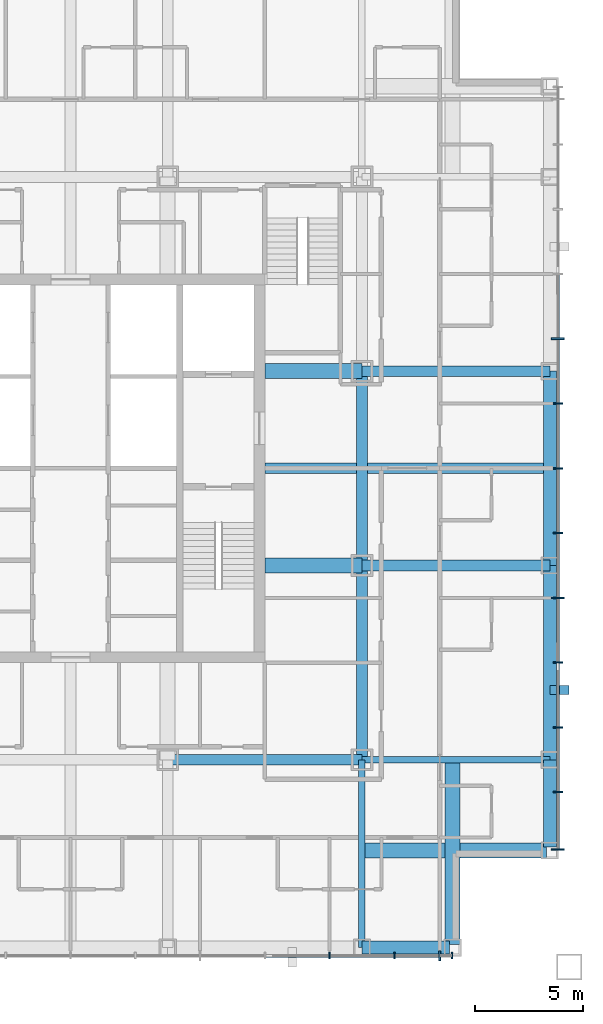
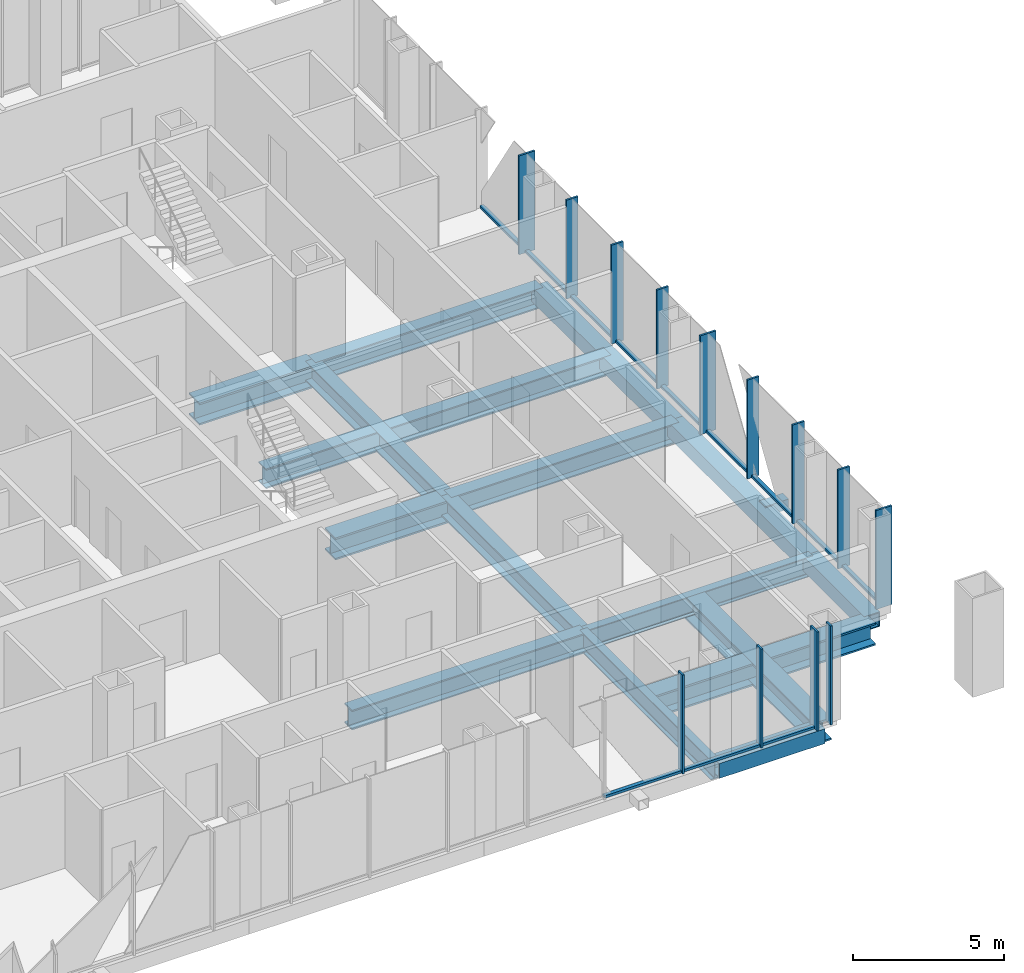
# One storey, part 3 of 21: 26 members, 16 beams, 2 elements without a shape of their own.
"""IFC4 building model written with IfcOpenShell, lengths in metres."""

from ifc_helpers import new_model, si_unit, direction, frame, origin, origin_2d, place, context, subcontext, project, spatial, rectangle, hollow_rectangle, i_section, extrude, material, layer, layer_set, material_profile, profile_set, type_object, element, aggregate, save


model = new_model("IFC4")

# Units and contexts
model_context = context("Model", 3, precision=1e-05, world=origin(), true_north=direction((0.0, 1.0)))
body_context = subcontext(model_context, "Body", "Model", "MODEL_VIEW")
ifc_project = project(units=[si_unit("LENGTHUNIT", "METRE"), si_unit("AREAUNIT", "SQUARE_METRE"), si_unit("VOLUMEUNIT", "CUBIC_METRE"), si_unit("PLANEANGLEUNIT", "RADIAN"), si_unit("MASSUNIT", "GRAM", prefix="KILO")], contexts=[model_context])

# Site, building, storey
site_placement = place(None, origin())
site = spatial("IfcSite", under=ifc_project, at=site_placement, CompositionType="ELEMENT")
building_placement = place(site_placement, origin())
building = spatial("IfcBuilding", under=site, at=building_placement, Name="Malebo Sky Hospital", CompositionType="ELEMENT")
storey_placement = place(building_placement, frame((0.0, 0.0, 229.0)))
storey = spatial("IfcBuildingStorey", under=building, at=storey_placement, Name="L55", CompositionType="ELEMENT", Elevation=229.0)

# Curtain wall, members
ifc_material_1 = material(Name="Anodised aluminium, natural silver", Category="aluminium")
ifc_layer_1 = layer(ifc_material_1, 0.25)
ifc_layer_set_1 = layer_set([ifc_layer_1], Name="WARD CURTAIN WALL NORTH AND SOUTH")
curtain_wall_type_1 = type_object("IfcCurtainWallType", Name="WARD CURTAIN WALL NORTH AND SOUTH", PredefinedType="NOTDEFINED", material=ifc_layer_set_1)
curtain_wall_1_placement = place(storey_placement, origin())
curtain_wall_1 = element("IfcCurtainWall", 1, at=curtain_wall_1_placement, inside=storey, type_object=curtain_wall_type_1, Name="NS curtain wall S", PredefinedType="NOTDEFINED")
ifc_material_profile_1 = material_profile(ifc_material_1, rectangle(XDim=0.14990234375, YDim=0.10009765625, at=origin_2d()), Name="ALUMINIUM TRANSOM 150x100")
ifc_profile_set_1 = profile_set([ifc_material_profile_1], Name="Anodised aluminium, natural silver")
member_type_1 = type_object("IfcMemberType", Name="ALUMINIUM TRANSOM 150x100", PredefinedType="USERDEFINED", material=ifc_profile_set_1)
member_1_placement = place(storey_placement, frame((77.0625, 39.425048828125, 0.050048828125), z_axis=(-1.0, 0.0, 0.0), x_axis=(0.0, -1.0, 0.0)))
member_1 = element("IfcMember", 2, at=member_1_placement, type_object=member_type_1, Name="Transom 2", ObjectType="TRANSOM", PredefinedType="USERDEFINED", context=body_context, shape_type="SweptSolid", body=[
    extrude(rectangle(XDim=0.14990234375, YDim=0.10009765625, at=origin_2d()), origin(), (0.0, 0.0, 1.0), 2.02490234375),
])
member_2_placement = place(storey_placement, frame((74.96240234375, 39.425048828125, 0.050048828125), z_axis=(-1.0, 0.0, 0.0), x_axis=(0.0, -1.0, 0.0)))
member_2 = element("IfcMember", 3, at=member_2_placement, type_object=member_type_1, Name="Transom 3", ObjectType="TRANSOM", PredefinedType="USERDEFINED", context=body_context, shape_type="SweptSolid", body=[
    extrude(rectangle(XDim=0.14990234375, YDim=0.10009765625, at=origin_2d()), origin(), (0.0, 0.0, 1.0), 2.9248046875),
])
member_3_placement = place(storey_placement, frame((71.96240234375, 39.425048828125, 0.050048828125), z_axis=(-1.0, 0.0, 0.0), x_axis=(0.0, -1.0, 0.0)))
member_3 = element("IfcMember", 4, at=member_3_placement, type_object=member_type_1, Name="Transom 4", ObjectType="TRANSOM", PredefinedType="USERDEFINED", context=body_context, shape_type="SweptSolid", body=[
    extrude(rectangle(XDim=0.14990234375, YDim=0.10009765625, at=origin_2d()), origin(), (0.0, 0.0, 1.0), 2.9248046875),
])

ifc_layer_2 = layer(ifc_material_1, 0.25)
ifc_layer_set_2 = layer_set([ifc_layer_2], Name="WARD CURTAIN WALL EAST AND WEST")
curtain_wall_type_2 = type_object("IfcCurtainWallType", Name="WARD CURTAIN WALL EAST AND WEST", PredefinedType="NOTDEFINED", material=ifc_layer_set_2)
curtain_wall_2_placement = place(storey_placement, origin())
curtain_wall_2 = element("IfcCurtainWall", 5, at=curtain_wall_2_placement, inside=storey, type_object=curtain_wall_type_2, Name="EW curtain wall E", PredefinedType="NOTDEFINED")
member_4_placement = place(storey_placement, frame((82.574951171875, 70.96240234375, 0.050048828125), z_axis=(0.0, -1.0, 0.0), x_axis=(1.0, 0.0, 0.0)))
member_4 = element("IfcMember", 6, at=member_4_placement, type_object=member_type_1, Name="Transom 5", ObjectType="TRANSOM", PredefinedType="USERDEFINED", context=body_context, shape_type="SweptSolid", body=[
    extrude(rectangle(XDim=0.14990234375, YDim=0.10009765625, at=origin_2d()), origin(), (0.0, 0.0, 1.0), 2.9248046875),
])
member_5_placement = place(storey_placement, frame((82.574951171875, 67.96240234375, 0.050048828125), z_axis=(0.0, -1.0, 0.0), x_axis=(1.0, 0.0, 0.0)))
member_5 = element("IfcMember", 7, at=member_5_placement, type_object=member_type_1, Name="Transom 6", ObjectType="TRANSOM", PredefinedType="USERDEFINED", context=body_context, shape_type="SweptSolid", body=[
    extrude(rectangle(XDim=0.14990234375, YDim=0.10009765625, at=origin_2d()), origin(), (0.0, 0.0, 1.0), 2.9248046875),
])
member_6_placement = place(storey_placement, frame((82.574951171875, 64.96240234375, 0.050048828125), z_axis=(0.0, -1.0, 0.0), x_axis=(1.0, 0.0, 0.0)))
member_6 = element("IfcMember", 8, at=member_6_placement, type_object=member_type_1, Name="Transom 7", ObjectType="TRANSOM", PredefinedType="USERDEFINED", context=body_context, shape_type="SweptSolid", body=[
    extrude(rectangle(XDim=0.14990234375, YDim=0.10009765625, at=origin_2d()), origin(), (0.0, 0.0, 1.0), 2.9248046875),
])
member_7_placement = place(storey_placement, frame((82.574951171875, 61.96240234375, 0.050048828125), z_axis=(0.0, -1.0, 0.0), x_axis=(1.0, 0.0, 0.0)))
member_7 = element("IfcMember", 9, at=member_7_placement, type_object=member_type_1, Name="Transom 8", ObjectType="TRANSOM", PredefinedType="USERDEFINED", context=body_context, shape_type="SweptSolid", body=[
    extrude(rectangle(XDim=0.14990234375, YDim=0.10009765625, at=origin_2d()), origin(), (0.0, 0.0, 1.0), 2.9248046875),
])
member_8_placement = place(storey_placement, frame((82.574951171875, 58.96240234375, 0.050048828125), z_axis=(0.0, -1.0, 0.0), x_axis=(1.0, 0.0, 0.0)))
member_8 = element("IfcMember", 10, at=member_8_placement, type_object=member_type_1, Name="Transom 9", ObjectType="TRANSOM", PredefinedType="USERDEFINED", context=body_context, shape_type="SweptSolid", body=[
    extrude(rectangle(XDim=0.14990234375, YDim=0.10009765625, at=origin_2d()), origin(), (0.0, 0.0, 1.0), 2.9248046875),
])
member_9_placement = place(storey_placement, frame((82.574951171875, 55.96240234375, 0.050048828125), z_axis=(0.0, -1.0, 0.0), x_axis=(1.0, 0.0, 0.0)))
member_9 = element("IfcMember", 11, at=member_9_placement, type_object=member_type_1, Name="Transom 10", ObjectType="TRANSOM", PredefinedType="USERDEFINED", context=body_context, shape_type="SweptSolid", body=[
    extrude(rectangle(XDim=0.14990234375, YDim=0.10009765625, at=origin_2d()), origin(), (0.0, 0.0, 1.0), 2.9248046875),
])
member_10_placement = place(storey_placement, frame((82.574951171875, 52.96240234375, 0.050048828125), z_axis=(0.0, -1.0, 0.0), x_axis=(1.0, 0.0, 0.0)))
member_10 = element("IfcMember", 12, at=member_10_placement, type_object=member_type_1, Name="Transom 11", ObjectType="TRANSOM", PredefinedType="USERDEFINED", context=body_context, shape_type="SweptSolid", body=[
    extrude(rectangle(XDim=0.14990234375, YDim=0.10009765625, at=origin_2d()), origin(), (0.0, 0.0, 1.0), 2.9248046875),
])
member_11_placement = place(storey_placement, frame((82.574951171875, 49.96240234375, 0.050048828125), z_axis=(0.0, -1.0, 0.0), x_axis=(1.0, 0.0, 0.0)))
member_11 = element("IfcMember", 13, at=member_11_placement, type_object=member_type_1, Name="Transom 12", ObjectType="TRANSOM", PredefinedType="USERDEFINED", context=body_context, shape_type="SweptSolid", body=[
    extrude(rectangle(XDim=0.14990234375, YDim=0.10009765625, at=origin_2d()), origin(), (0.0, 0.0, 1.0), 2.9248046875),
])
member_12_placement = place(storey_placement, frame((82.574951171875, 46.96240234375, 0.050048828125), z_axis=(0.0, -1.0, 0.0), x_axis=(1.0, 0.0, 0.0)))
member_12 = element("IfcMember", 14, at=member_12_placement, type_object=member_type_1, Name="Transom 13", ObjectType="TRANSOM", PredefinedType="USERDEFINED", context=body_context, shape_type="SweptSolid", body=[
    extrude(rectangle(XDim=0.14990234375, YDim=0.10009765625, at=origin_2d()), origin(), (0.0, 0.0, 1.0), 2.58740234375),
])

# Member
ifc_material_2 = material(Name="Steel S355", Category="steel")
ifc_material_profile_2 = material_profile(ifc_material_2, hollow_rectangle(XDim=0.39990234375, YDim=0.39990234375, WallThickness=0.02001953125, at=origin_2d()), Name="SHS 400x20")
ifc_profile_set_2 = profile_set([ifc_material_profile_2], Name="Steel S355")
member_type_2 = type_object("IfcMemberType", Name="BRACE STRUT SHS 400x20", PredefinedType="STRUT", material=ifc_profile_set_2)
member_13_placement = place(storey_placement, frame((83.10009765625, 51.7333984375, -0.39990234375), z_axis=(-1.0, 0.0, 0.0), x_axis=(0.0, -1.0, 0.0)))
element("IfcMember", 15, at=member_13_placement, inside=storey, type_object=member_type_2, Name="Brace strut CE1 L55", PredefinedType="STRUT", context=body_context, shape_type="SweptSolid", body=[
    extrude(hollow_rectangle(XDim=0.39990234375, YDim=0.39990234375, WallThickness=0.02001953125, at=origin_2d()), origin(), (0.0, 0.0, 1.0), 0.900146484375),
])

ifc_material_profile_3 = material_profile(ifc_material_1, rectangle(XDim=0.074951171875, YDim=0.300048828125, at=origin_2d()), Name="CW1 ALUMINIUM FIN MULLION 75x300")
ifc_profile_set_3 = profile_set([ifc_material_profile_3], Name="Anodised aluminium, natural silver")
member_type_3 = type_object("IfcMemberType", Name="CW1 ALUMINIUM FIN MULLION 75x300", PredefinedType="MULLION", material=ifc_profile_set_3)
member_14_placement = place(storey_placement, frame((77.66259765625, 39.425048828125, 0.0), z_axis=(0.0, 0.0, 1.0), x_axis=(-1.0, 0.0, 0.0)))
member_14 = element("IfcMember", 16, at=member_14_placement, type_object=member_type_3, Name="Fin mullion 1", PredefinedType="MULLION", context=body_context, shape_type="SweptSolid", body=[
    extrude(rectangle(XDim=0.074951171875, YDim=0.300048828125, at=origin_2d()), origin(), (0.0, 0.0, 1.0), 4.0),
])

member_15_placement = place(storey_placement, frame((75.0, 39.425048828125, 0.0), z_axis=(0.0, 0.0, 1.0), x_axis=(-1.0, 0.0, 0.0)))
member_15 = element("IfcMember", 17, at=member_15_placement, type_object=member_type_3, Name="Fin mullion 3", PredefinedType="MULLION", context=body_context, shape_type="SweptSolid", body=[
    extrude(rectangle(XDim=0.074951171875, YDim=0.300048828125, at=origin_2d()), origin(), (0.0, 0.0, 1.0), 4.0),
])

member_16_placement = place(storey_placement, frame((72.0, 39.425048828125, 0.0), z_axis=(0.0, 0.0, 1.0), x_axis=(-1.0, 0.0, 0.0)))
member_16 = element("IfcMember", 18, at=member_16_placement, type_object=member_type_3, Name="Fin mullion 4", PredefinedType="MULLION", context=body_context, shape_type="SweptSolid", body=[
    extrude(rectangle(XDim=0.074951171875, YDim=0.300048828125, at=origin_2d()), origin(), (0.0, 0.0, 1.0), 4.0),
])

ifc_material_profile_4 = material_profile(ifc_material_1, rectangle(XDim=0.074951171875, YDim=0.449951171875, at=origin_2d()), Name="CW1 ALUMINIUM FIN MULLION 75x450")
ifc_profile_set_4 = profile_set([ifc_material_profile_4], Name="Anodised aluminium, natural silver")
member_type_4 = type_object("IfcMemberType", Name="CW1 ALUMINIUM FIN MULLION 75x450", PredefinedType="MULLION", material=ifc_profile_set_4)
member_17_placement = place(storey_placement, frame((77.10009765625, 39.425048828125, 0.0), z_axis=(0.0, 0.0, 1.0), x_axis=(-1.0, 0.0, 0.0)))
member_17 = element("IfcMember", 19, at=member_17_placement, type_object=member_type_4, Name="Fin mullion 2", PredefinedType="MULLION", context=body_context, shape_type="SweptSolid", body=[
    extrude(rectangle(XDim=0.074951171875, YDim=0.449951171875, at=origin_2d()), origin(), (0.0, 0.0, 1.0), 4.0),
])

aggregate(curtain_wall_1, [member_14, member_17, member_15, member_16, member_1, member_2, member_3])

ifc_material_profile_5 = material_profile(ifc_material_1, rectangle(XDim=0.074951171875, YDim=0.449951171875, at=origin_2d()), Name="CW2 ALUMINIUM FIN MULLION 75x450")
ifc_profile_set_5 = profile_set([ifc_material_profile_5], Name="Anodised aluminium, natural silver")
member_type_5 = type_object("IfcMemberType", Name="CW2 ALUMINIUM FIN MULLION 75x450", PredefinedType="MULLION", material=ifc_profile_set_5)
member_18_placement = place(storey_placement, frame((82.574951171875, 65.0, 0.0), z_axis=(0.0, 0.0, 1.0), x_axis=(0.0, -1.0, 0.0)))
member_18 = element("IfcMember", 20, at=member_18_placement, type_object=member_type_5, Name="Fin mullion 7", PredefinedType="MULLION", context=body_context, shape_type="SweptSolid", body=[
    extrude(rectangle(XDim=0.074951171875, YDim=0.449951171875, at=origin_2d()), origin(), (0.0, 0.0, 1.0), 4.0),
])

member_19_placement = place(storey_placement, frame((82.574951171875, 62.0, 0.0), z_axis=(0.0, 0.0, 1.0), x_axis=(0.0, -1.0, 0.0)))
member_19 = element("IfcMember", 21, at=member_19_placement, type_object=member_type_5, Name="Fin mullion 8", PredefinedType="MULLION", context=body_context, shape_type="SweptSolid", body=[
    extrude(rectangle(XDim=0.074951171875, YDim=0.449951171875, at=origin_2d()), origin(), (0.0, 0.0, 1.0), 4.0),
])

member_20_placement = place(storey_placement, frame((82.574951171875, 59.0, 0.0), z_axis=(0.0, 0.0, 1.0), x_axis=(0.0, -1.0, 0.0)))
member_20 = element("IfcMember", 22, at=member_20_placement, type_object=member_type_5, Name="Fin mullion 9", PredefinedType="MULLION", context=body_context, shape_type="SweptSolid", body=[
    extrude(rectangle(XDim=0.074951171875, YDim=0.449951171875, at=origin_2d()), origin(), (0.0, 0.0, 1.0), 4.0),
])

member_21_placement = place(storey_placement, frame((82.574951171875, 53.0, 0.0), z_axis=(0.0, 0.0, 1.0), x_axis=(0.0, -1.0, 0.0)))
member_21 = element("IfcMember", 23, at=member_21_placement, type_object=member_type_5, Name="Fin mullion 11", PredefinedType="MULLION", context=body_context, shape_type="SweptSolid", body=[
    extrude(rectangle(XDim=0.074951171875, YDim=0.449951171875, at=origin_2d()), origin(), (0.0, 0.0, 1.0), 4.0),
])

member_22_placement = place(storey_placement, frame((82.574951171875, 50.0, 0.0), z_axis=(0.0, 0.0, 1.0), x_axis=(0.0, -1.0, 0.0)))
member_22 = element("IfcMember", 24, at=member_22_placement, type_object=member_type_5, Name="Fin mullion 12", PredefinedType="MULLION", context=body_context, shape_type="SweptSolid", body=[
    extrude(rectangle(XDim=0.074951171875, YDim=0.449951171875, at=origin_2d()), origin(), (0.0, 0.0, 1.0), 4.0),
])

member_23_placement = place(storey_placement, frame((82.574951171875, 47.0, 0.0), z_axis=(0.0, 0.0, 1.0), x_axis=(0.0, -1.0, 0.0)))
member_23 = element("IfcMember", 25, at=member_23_placement, type_object=member_type_5, Name="Fin mullion 13", PredefinedType="MULLION", context=body_context, shape_type="SweptSolid", body=[
    extrude(rectangle(XDim=0.074951171875, YDim=0.449951171875, at=origin_2d()), origin(), (0.0, 0.0, 1.0), 4.0),
])

ifc_material_profile_6 = material_profile(ifc_material_1, rectangle(XDim=0.074951171875, YDim=0.60009765625, at=origin_2d()), Name="CW2 ALUMINIUM FIN MULLION 75x600")
ifc_profile_set_6 = profile_set([ifc_material_profile_6], Name="Anodised aluminium, natural silver")
member_type_6 = type_object("IfcMemberType", Name="CW2 ALUMINIUM FIN MULLION 75x600", PredefinedType="MULLION", material=ifc_profile_set_6)
member_24_placement = place(storey_placement, frame((82.574951171875, 68.0, 0.0), z_axis=(0.0, 0.0, 1.0), x_axis=(0.0, -1.0, 0.0)))
member_24 = element("IfcMember", 26, at=member_24_placement, type_object=member_type_6, Name="Fin mullion 6", PredefinedType="MULLION", context=body_context, shape_type="SweptSolid", body=[
    extrude(rectangle(XDim=0.074951171875, YDim=0.60009765625, at=origin_2d()), origin(), (0.0, 0.0, 1.0), 4.0),
])

member_25_placement = place(storey_placement, frame((82.574951171875, 56.0, 0.0), z_axis=(0.0, 0.0, 1.0), x_axis=(0.0, -1.0, 0.0)))
member_25 = element("IfcMember", 27, at=member_25_placement, type_object=member_type_6, Name="Fin mullion 10", PredefinedType="MULLION", context=body_context, shape_type="SweptSolid", body=[
    extrude(rectangle(XDim=0.074951171875, YDim=0.60009765625, at=origin_2d()), origin(), (0.0, 0.0, 1.0), 4.0),
])

member_26_placement = place(storey_placement, frame((82.574951171875, 44.33740234375, 0.0), z_axis=(0.0, 0.0, 1.0), x_axis=(0.0, -1.0, 0.0)))
member_26 = element("IfcMember", 28, at=member_26_placement, type_object=member_type_6, Name="Fin mullion 14", PredefinedType="MULLION", context=body_context, shape_type="SweptSolid", body=[
    extrude(rectangle(XDim=0.074951171875, YDim=0.60009765625, at=origin_2d()), origin(), (0.0, 0.0, 1.0), 4.0),
])

aggregate(curtain_wall_2, [member_24, member_18, member_19, member_20, member_25, member_21, member_22, member_23, member_26, member_4, member_5, member_6, member_7, member_8, member_9, member_10, member_11, member_12])

# Beams
ifc_material_3 = material(Name="Steel S460", Category="steel")
ifc_material_profile_7 = material_profile(ifc_material_3, hollow_rectangle(XDim=0.60009765625, YDim=0.60009765625, WallThickness=0.0400390625, at=origin_2d()), Name="BOX 600x600x40")
ifc_profile_set_7 = profile_set([ifc_material_profile_7], Name="Steel S460")
beam_type_1 = type_object("IfcBeamType", Name="EDGE BEAM BOX 600x600x40", PredefinedType="BEAM", material=ifc_profile_set_7)
beam_1_placement = place(storey_placement, frame((82.199951171875, 44.449951171875, -0.550048828125), z_axis=(0.0, 1.0, 0.0), x_axis=(-1.0, 0.0, 0.0)))
element("IfcBeam", 29, at=beam_1_placement, inside=storey, type_object=beam_type_1, Name="Beam 029 L55", PredefinedType="BEAM", context=body_context, shape_type="SweptSolid", body=[
    extrude(hollow_rectangle(XDim=0.60009765625, YDim=0.60009765625, WallThickness=0.0400390625, at=origin_2d()), origin(), (0.0, 0.0, 1.0), 4.050048828125),
])
for number, where, z_axis, x_axis, name in (
    (30, (82.199951171875, 48.5, -0.550048828125), (0.0, 1.0, 0.0), (-1.0, 0.0, 0.0), "Beam 030 L55"),
    (31, (82.199951171875, 57.5, -0.550048828125), (0.0, 1.0, 0.0), (-1.0, 0.0, 0.0), "Beam 031 L55"),
):
    element("IfcBeam", number, at=place(storey_placement, frame(where, z_axis=z_axis, x_axis=x_axis)), inside=storey, type_object=beam_type_1, Name=name, PredefinedType="BEAM", context=body_context, shape_type="SweptSolid", body=[
        extrude(hollow_rectangle(XDim=0.60009765625, YDim=0.60009765625, WallThickness=0.0400390625, at=origin_2d()), origin(), (0.0, 0.0, 1.0), 9.0),
    ])
beam_2_placement = place(storey_placement, frame((73.5, 39.800048828125, -0.550048828125), z_axis=(1.0, 0.0, 0.0), x_axis=(0.0, 1.0, 0.0)))
element("IfcBeam", 32, at=beam_2_placement, inside=storey, type_object=beam_type_1, Name="Beam 038 L55", PredefinedType="BEAM", context=body_context, shape_type="SweptSolid", body=[
    extrude(hollow_rectangle(XDim=0.60009765625, YDim=0.60009765625, WallThickness=0.0400390625, at=origin_2d()), origin(), (0.0, 0.0, 1.0), 4.050048828125),
])
ifc_material_profile_8 = material_profile(ifc_material_2, i_section(OverallWidth=0.5, OverallDepth=0.800048828125, WebThickness=0.030029296875, FlangeThickness=0.050048828125, at=origin_2d()), Name="PG 800x500x30x50")
ifc_profile_set_8 = profile_set([ifc_material_profile_8], Name="Steel S355")
beam_type_2 = type_object("IfcBeamType", Name="FLOOR BEAM PG 800x500x30x50", PredefinedType="BEAM", material=ifc_profile_set_8)
for number, where, z_axis, x_axis, name in (
    (33, (73.5, 48.5, -0.64990234375), (0.0, 1.0, 0.0), (-1.0, 0.0, 0.0), "Beam 023 L55"),
    (34, (64.5, 48.5, -0.64990234375), (1.0, 0.0, 0.0), (0.0, 1.0, 0.0), "Beam 044 L55"),
):
    element("IfcBeam", number, at=place(storey_placement, frame(where, z_axis=z_axis, x_axis=x_axis)), inside=storey, type_object=beam_type_2, Name=name, PredefinedType="BEAM", context=body_context, shape_type="SweptSolid", body=[
        extrude(i_section(OverallWidth=0.5, OverallDepth=0.800048828125, WebThickness=0.030029296875, FlangeThickness=0.050048828125, at=origin_2d()), origin(), (0.0, 0.0, 1.0), 9.0),
    ])
beam_3_placement = place(storey_placement, frame((73.5, 57.5, -0.64990234375), z_axis=(1.0, 0.0, 0.0), x_axis=(0.0, 1.0, 0.0)))
element("IfcBeam", 35, at=beam_3_placement, inside=storey, type_object=beam_type_2, Name="Beam 049 L55", PredefinedType="BEAM", context=body_context, shape_type="SweptSolid", body=[
    extrude(i_section(OverallWidth=0.5, OverallDepth=0.800048828125, WebThickness=0.030029296875, FlangeThickness=0.050048828125, at=origin_2d()), origin(), (0.0, 0.0, 1.0), 8.699951171875),
])
beam_4_placement = place(storey_placement, frame((69.0, 62.0, -0.64990234375), z_axis=(1.0, 0.0, 0.0), x_axis=(0.0, 1.0, 0.0)))
element("IfcBeam", 36, at=beam_4_placement, inside=storey, type_object=beam_type_2, Name="Beam 051 L55", PredefinedType="BEAM", context=body_context, shape_type="SweptSolid", body=[
    extrude(i_section(OverallWidth=0.5, OverallDepth=0.800048828125, WebThickness=0.030029296875, FlangeThickness=0.050048828125, at=origin_2d()), origin(), (0.0, 0.0, 1.0), 13.199951171875),
])
beam_5_placement = place(storey_placement, frame((73.5, 66.5, -0.64990234375), z_axis=(1.0, 0.0, 0.0), x_axis=(0.0, 1.0, 0.0)))
element("IfcBeam", 37, at=beam_5_placement, inside=storey, type_object=beam_type_2, Name="Beam 055 L55", PredefinedType="BEAM", context=body_context, shape_type="SweptSolid", body=[
    extrude(i_section(OverallWidth=0.5, OverallDepth=0.800048828125, WebThickness=0.030029296875, FlangeThickness=0.050048828125, at=origin_2d()), origin(), (0.0, 0.0, 1.0), 8.699951171875),
])
ifc_material_profile_9 = material_profile(ifc_material_2, i_section(OverallWidth=0.699951171875, OverallDepth=0.89990234375, WebThickness=0.0400390625, FlangeThickness=0.070068359375, at=origin_2d()), Name="PG 900x700x40x70")
ifc_profile_set_9 = profile_set([ifc_material_profile_9], Name="Steel S355")
beam_type_3 = type_object("IfcBeamType", Name="FLOOR BEAM PG 900x700x40x70", PredefinedType="BEAM", material=ifc_profile_set_9)
for number, where, z_axis, x_axis, name in (
    (38, (77.699951171875, 39.949951171875, -0.699951171875), (0.0, 1.0, 0.0), (-1.0, 0.0, 0.0), "Beam 027 L55"),
    (39, (73.5, 44.300048828125, -0.699951171875), (1.0, 0.0, 0.0), (0.0, 1.0, 0.0), "Beam 040 L55"),
):
    element("IfcBeam", number, at=place(storey_placement, frame(where, z_axis=z_axis, x_axis=x_axis)), inside=storey, type_object=beam_type_3, Name=name, PredefinedType="BEAM", context=body_context, shape_type="SweptSolid", body=[
        extrude(i_section(OverallWidth=0.699951171875, OverallDepth=0.89990234375, WebThickness=0.0400390625, FlangeThickness=0.070068359375, at=origin_2d()), origin(), (0.0, 0.0, 1.0), 8.550048828125),
    ])
for number, where, z_axis, x_axis, name in (
    (40, (69.0, 57.5, -0.699951171875), (1.0, 0.0, 0.0), (0.0, 1.0, 0.0), "Beam 048 L55"),
    (41, (69.0, 66.5, -0.699951171875), (1.0, 0.0, 0.0), (0.0, 1.0, 0.0), "Beam 054 L55"),
):
    element("IfcBeam", number, at=place(storey_placement, frame(where, z_axis=z_axis, x_axis=x_axis)), inside=storey, type_object=beam_type_3, Name=name, PredefinedType="BEAM", context=body_context, shape_type="SweptSolid", body=[
        extrude(i_section(OverallWidth=0.699951171875, OverallDepth=0.89990234375, WebThickness=0.0400390625, FlangeThickness=0.070068359375, at=origin_2d()), origin(), (0.0, 0.0, 1.0), 4.5),
    ])
ifc_material_profile_10 = material_profile(ifc_material_2, i_section(OverallWidth=0.300048828125, OverallDepth=0.800048828125, WebThickness=0.017578125, FlangeThickness=0.032958984375, FilletRadius=0.030029296875, at=origin_2d()), Name="HEB 800")
ifc_profile_set_10 = profile_set([ifc_material_profile_10], Name="Steel S355")
beam_type_4 = type_object("IfcBeamType", Name="FLOOR GIRDER HEB 800", PredefinedType="BEAM", material=ifc_profile_set_10)
for number, where, z_axis, x_axis, name in (
    (42, (73.5, 39.800048828125, -0.64990234375), (0.0, 1.0, 0.0), (-1.0, 0.0, 0.0), "Beam 022 L55"),
    (43, (73.5, 48.5, -0.64990234375), (1.0, 0.0, 0.0), (0.0, 1.0, 0.0), "Beam 045 L55"),
):
    element("IfcBeam", number, at=place(storey_placement, frame(where, z_axis=z_axis, x_axis=x_axis)), inside=storey, type_object=beam_type_4, Name=name, PredefinedType="BEAM", context=body_context, shape_type="SweptSolid", body=[
        extrude(i_section(OverallWidth=0.300048828125, OverallDepth=0.800048828125, WebThickness=0.017578125, FlangeThickness=0.032958984375, FilletRadius=0.030029296875, at=origin_2d()), origin(), (0.0, 0.0, 1.0), 8.699951171875),
    ])
ifc_material_profile_11 = material_profile(ifc_material_2, i_section(OverallWidth=0.5, OverallDepth=0.800048828125, WebThickness=0.030029296875, FlangeThickness=0.050048828125, at=origin_2d()), Name="PG 800x500x30x50")
ifc_profile_set_11 = profile_set([ifc_material_profile_11], Name="Steel S355")
beam_type_5 = type_object("IfcBeamType", Name="RING GIRDER PG 800x500x30x50", PredefinedType="BEAM", material=ifc_profile_set_11)
beam_6_placement = place(storey_placement, frame((73.5, 57.5, -0.64990234375), z_axis=(0.0, 1.0, 0.0), x_axis=(-1.0, 0.0, 0.0)))
element("IfcBeam", 44, at=beam_6_placement, inside=storey, type_object=beam_type_5, Name="Beam 024 L55", PredefinedType="BEAM", context=body_context, shape_type="SweptSolid", body=[
    extrude(i_section(OverallWidth=0.5, OverallDepth=0.800048828125, WebThickness=0.030029296875, FlangeThickness=0.050048828125, at=origin_2d()), origin(), (0.0, 0.0, 1.0), 9.0),
])

save(model, "model.ifc")
